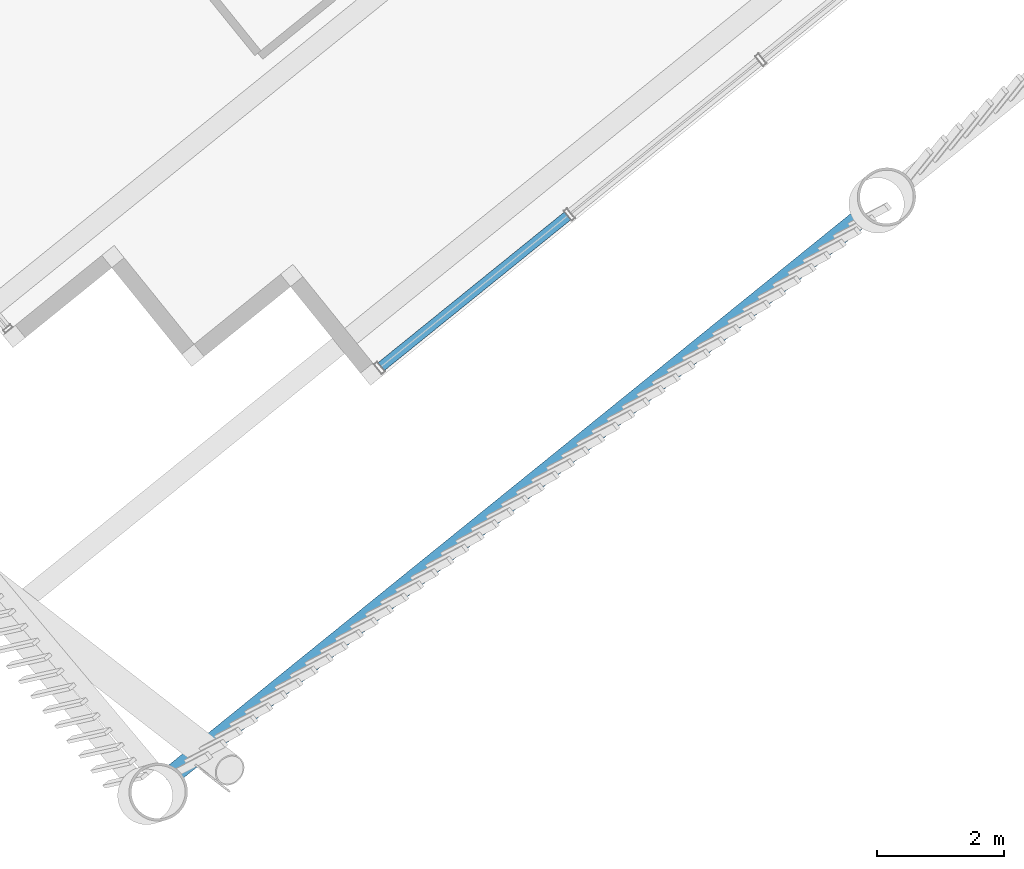
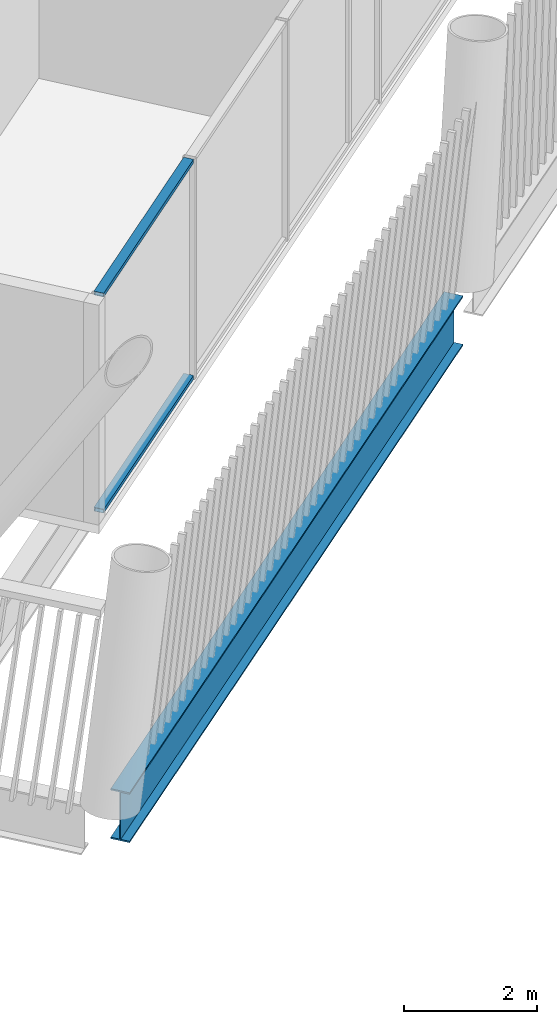
# One storey, part 9 of 36: 2 members, 1 beam, 1 element without a shape of its own.
"""IFC4 building model written with IfcOpenShell, lengths in metres."""

from ifc_helpers import new_model, si_unit, direction, frame, origin, origin_2d, place, context, subcontext, project, spatial, hollow_rectangle, i_section, extrude, material, layer, layer_set, material_profile, profile_set, type_object, element, aggregate, save


model = new_model("IFC4")

# Units and contexts
model_context = context("Model", 3, precision=1e-05, world=origin(), true_north=direction((0.0, 1.0)))
body_context = subcontext(model_context, "Body", "Model", "MODEL_VIEW")
ifc_project = project(units=[si_unit("LENGTHUNIT", "METRE"), si_unit("AREAUNIT", "SQUARE_METRE"), si_unit("VOLUMEUNIT", "CUBIC_METRE"), si_unit("PLANEANGLEUNIT", "RADIAN"), si_unit("MASSUNIT", "GRAM", prefix="KILO")], contexts=[model_context])

# Site, building, storey
site_placement = place(None, origin())
site = spatial("IfcSite", under=ifc_project, at=site_placement, CompositionType="ELEMENT")
building_placement = place(site_placement, origin())
building = spatial("IfcBuilding", under=site, at=building_placement, Name="Tarsis Ring Headquarters", CompositionType="ELEMENT")
storey_placement = place(building_placement, frame((0.0, 0.0, 386.0)))
storey = spatial("IfcBuildingStorey", under=building, at=storey_placement, Name="L91", CompositionType="ELEMENT", Elevation=386.0)

# Curtain wall, members
ifc_material_1 = material(Name="Aluminium curtain wall", Category="aluminium")
ifc_layer = layer(ifc_material_1, 0.199951171875)
ifc_layer_set = layer_set([ifc_layer], Name="Curtain wall executive tip")
curtain_wall_type = type_object("IfcCurtainWallType", Name="Curtain wall executive tip", PredefinedType="NOTDEFINED", material=ifc_layer_set)
curtain_wall_placement = place(storey_placement, origin())
curtain_wall = element("IfcCurtainWall", 1, at=curtain_wall_placement, inside=storey, type_object=curtain_wall_type, Name="Curtain wall L91-11", PredefinedType="NOTDEFINED")
ifc_material_2 = material(Name="Aluminium transom", Category="aluminium")
ifc_material_profile_1 = material_profile(ifc_material_2, hollow_rectangle(XDim=0.159912109375, YDim=0.070068359375, WallThickness=0.0048828125, at=origin_2d()), Name="RHS 160x70x5")
ifc_profile_set_1 = profile_set([ifc_material_profile_1], Name="Aluminium transom")
member_type = type_object("IfcMemberType", Name="Curtain wall transom executive tip RHS 160x70x5", PredefinedType="USERDEFINED", material=ifc_profile_set_1)
member_1_placement = place(storey_placement, frame((14.070556640625, -29.614501953125, 0.034912109375), z_axis=(0.777591625967, 0.628769642418, 0.0), x_axis=(-0.628769642418, 0.777591625967, 0.0)))
member_1 = element("IfcMember", 2, at=member_1_placement, type_object=member_type, Name="CW-E transom 1.1", ObjectType="TRANSOM", PredefinedType="USERDEFINED", context=body_context, shape_type="SweptSolid", body=[
    extrude(hollow_rectangle(XDim=0.159912109375, YDim=0.070068359375, WallThickness=0.0048828125, at=origin_2d()), origin(), (0.0, 0.0, 1.0), 3.769775390625),
])
member_2_placement = place(storey_placement, frame((14.070556640625, -29.614501953125, 4.0048828125), z_axis=(0.777591625967, 0.628769642418, 0.0), x_axis=(-0.628769642418, 0.777591625967, 0.0)))
member_2 = element("IfcMember", 3, at=member_2_placement, type_object=member_type, Name="CW-E transom 1.2", ObjectType="TRANSOM", PredefinedType="USERDEFINED", context=body_context, shape_type="SweptSolid", body=[
    extrude(hollow_rectangle(XDim=0.159912109375, YDim=0.070068359375, WallThickness=0.0048828125, at=origin_2d()), origin(), (0.0, 0.0, 1.0), 3.769775390625),
])
aggregate(curtain_wall, [member_1, member_2])

# Beam
ifc_material_3 = material(Name="Structural steel S355", Category="steel")
ifc_material_profile_2 = material_profile(ifc_material_3, i_section(OverallWidth=0.3046875, OverallDepth=0.91943359375, WebThickness=0.017333984375, FlangeThickness=0.02783203125, at=origin_2d()), Name="W36x170")
ifc_profile_set_2 = profile_set([ifc_material_profile_2], Name="Structural steel S355")
beam_type = type_object("IfcBeamType", Name="XG Ring girder W36x170", PredefinedType="BEAM", material=ifc_profile_set_2)
beam_placement = place(storey_placement, frame((10.693115234375, -36.107177734375, -0.459716796875), z_axis=(0.777582782774, 0.628780578527, 0.0), x_axis=(-0.628780578527, 0.777582782774, 0.0)))
element("IfcBeam", 4, at=beam_placement, inside=storey, type_object=beam_type, Name="Ring girder XG4", PredefinedType="BEAM", context=body_context, shape_type="SweptSolid", body=[
    extrude(i_section(OverallWidth=0.3046875, OverallDepth=0.91943359375, WebThickness=0.017333984375, FlangeThickness=0.02783203125, at=origin_2d()), origin(), (0.0, 0.0, 1.0), 13.97705078125),
])

save(model, "model.ifc")
